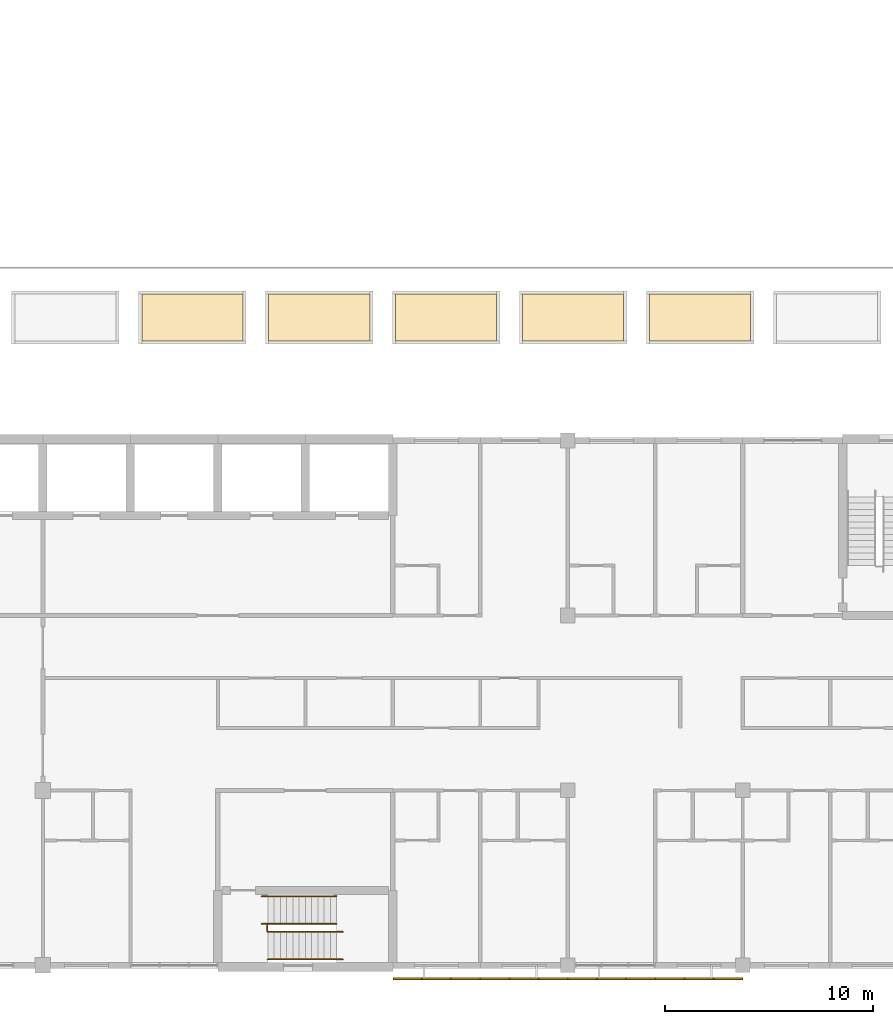
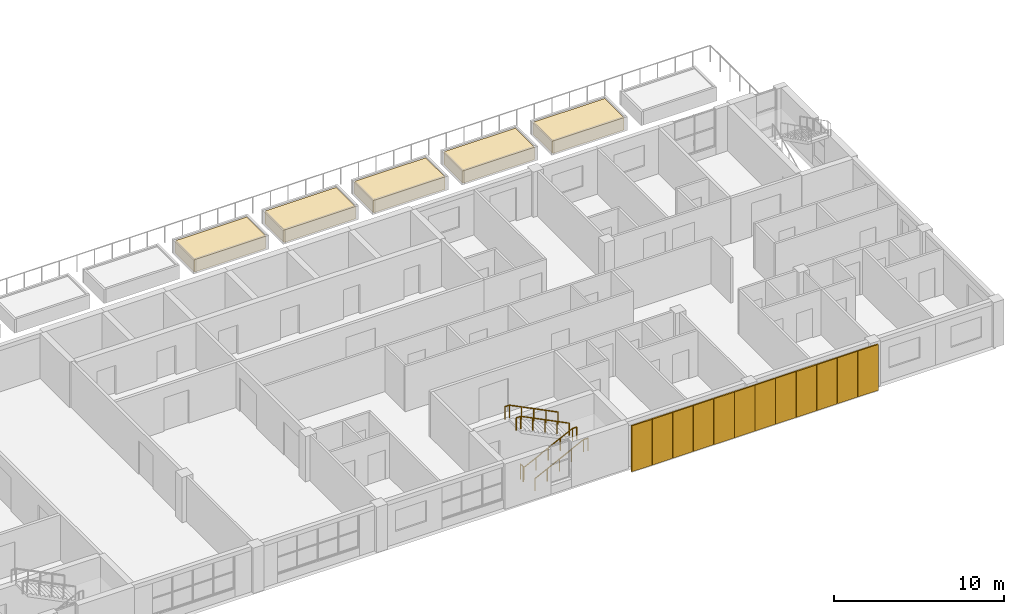
# One storey, part 60 of 61: 12 shading devices, 5 coverings, 5 railings.
"""IFC4 building model written with IfcOpenShell, lengths in metres."""

from ifc_helpers import new_model, si_unit, direction, frame, origin, origin_2d, place, context, subcontext, project, spatial, polyline, rectangle, circle, outline, extrude, material, layer, layer_set, type_object, element, save


model = new_model("IFC4")

# Units and contexts
model_context = context("Model", 3, precision=1e-05, world=origin(), true_north=direction((0.0, 1.0)))
body_context = subcontext(model_context, "Body", "Model", "MODEL_VIEW")
ifc_project = project(units=[si_unit("LENGTHUNIT", "METRE"), si_unit("AREAUNIT", "SQUARE_METRE"), si_unit("VOLUMEUNIT", "CUBIC_METRE"), si_unit("PLANEANGLEUNIT", "RADIAN"), si_unit("MASSUNIT", "GRAM", prefix="KILO")], contexts=[model_context])

# Site, building, storey
site_placement = place(None, origin())
site = spatial("IfcSite", under=ifc_project, at=site_placement, CompositionType="ELEMENT")
building_placement = place(site_placement, origin())
building = spatial("IfcBuilding", under=site, at=building_placement, Name="Yavir Park General Hospital", CompositionType="ELEMENT")
storey_placement = place(building_placement, frame((0.0, 0.0, 15.300048828125)))
storey = spatial("IfcBuildingStorey", under=building, at=storey_placement, Name="L03", CompositionType="ELEMENT", Elevation=15.300048828125)

# Coverings
ifc_material_1 = material(Name="Green roof substrate")
ifc_layer_1 = layer(ifc_material_1, 0.89990234375)
ifc_layer_set_1 = layer_set([ifc_layer_1], Name="Green roof substrate")
covering_type = type_object("IfcCoveringType", Name="Green roof substrate 900", PredefinedType="FLOORING", material=ifc_layer_set_1)
covering_1_placement = place(storey_placement, origin())
element("IfcCovering", 1, at=covering_1_placement, inside=storey, type_object=covering_type, Name="Planting bed substrate 18", PredefinedType="FLOORING", context=body_context, shape_type="SweptSolid", body=[
    extrude(outline(polyline([(130.748779296875, 29.97509765625), (135.598876953125, 29.97509765625), (135.598876953125, 32.22509765625), (130.748779296875, 32.22509765625), (130.748779296875, 29.97509765625)])), origin(), (0.0, 0.0, 1.0), 0.89990234375),
])
covering_2_placement = place(storey_placement, origin())
element("IfcCovering", 2, at=covering_2_placement, inside=storey, type_object=covering_type, Name="Planting bed substrate 19", PredefinedType="FLOORING", context=body_context, shape_type="SweptSolid", body=[
    extrude(outline(polyline([(136.844482421875, 29.97509765625), (141.694580078125, 29.97509765625), (141.694580078125, 32.22509765625), (136.844482421875, 32.22509765625), (136.844482421875, 29.97509765625)])), origin(), (0.0, 0.0, 1.0), 0.89990234375),
])
covering_3_placement = place(storey_placement, origin())
element("IfcCovering", 3, at=covering_3_placement, inside=storey, type_object=covering_type, Name="Planting bed substrate 20", PredefinedType="FLOORING", context=body_context, shape_type="SweptSolid", body=[
    extrude(outline(polyline([(142.940185546875, 29.97509765625), (147.790283203125, 29.97509765625), (147.790283203125, 32.22509765625), (142.940185546875, 32.22509765625), (142.940185546875, 29.97509765625)])), origin(), (0.0, 0.0, 1.0), 0.89990234375),
])
covering_4_placement = place(storey_placement, origin())
element("IfcCovering", 4, at=covering_4_placement, inside=storey, type_object=covering_type, Name="Planting bed substrate 21", PredefinedType="FLOORING", context=body_context, shape_type="SweptSolid", body=[
    extrude(outline(polyline([(149.035888671875, 29.97509765625), (153.885986328125, 29.97509765625), (153.885986328125, 32.22509765625), (149.035888671875, 32.22509765625), (149.035888671875, 29.97509765625)])), origin(), (0.0, 0.0, 1.0), 0.89990234375),
])
covering_5_placement = place(storey_placement, origin())
element("IfcCovering", 5, at=covering_5_placement, inside=storey, type_object=covering_type, Name="Planting bed substrate 22", PredefinedType="FLOORING", context=body_context, shape_type="SweptSolid", body=[
    extrude(outline(polyline([(155.131591796875, 29.97509765625), (159.9814453125, 29.97509765625), (159.9814453125, 32.22509765625), (155.131591796875, 32.22509765625), (155.131591796875, 29.97509765625)])), origin(), (0.0, 0.0, 1.0), 0.89990234375),
])

# Shading devices
ifc_material_2 = material(Name="Precast concrete perforated block panel", Category="concrete")
ifc_layer_2 = layer(ifc_material_2, 0.092041015625)
ifc_layer_set_2 = layer_set([ifc_layer_2], Name="Precast concrete perforated block panel")
shading_device_type = type_object("IfcShadingDeviceType", Name="Precast breeze-block screen panel 1380 x 3300 x 92", PredefinedType="JALOUSIE", material=ifc_layer_set_2)
for number, where, z_axis, x_axis, name in (
    (6, (143.5, -0.64990234375, 0.0), (0.0, 0.0, 1.0), (1.0, 0.0, 0.0), "Screen panel S18.1.1"),
    (7, (144.89990234375, -0.64990234375, 0.0), (0.0, 0.0, 1.0), (1.0, 0.0, 0.0), "Screen panel S18.1.2"),
    (8, (146.300048828125, -0.64990234375, 0.0), (0.0, 0.0, 1.0), (1.0, 0.0, 0.0), "Screen panel S18.1.3"),
    (9, (147.699951171875, -0.64990234375, 0.0), (0.0, 0.0, 1.0), (1.0, 0.0, 0.0), "Screen panel S18.1.4"),
    (10, (149.10009765625, -0.64990234375, 0.0), (0.0, 0.0, 1.0), (1.0, 0.0, 0.0), "Screen panel S18.1.5"),
    (11, (150.5, -0.64990234375, 0.0), (0.0, 0.0, 1.0), (1.0, 0.0, 0.0), "Screen panel S18.1.6"),
    (12, (151.89990234375, -0.64990234375, 0.0), (0.0, 0.0, 1.0), (1.0, 0.0, 0.0), "Screen panel S19.1.1"),
    (13, (153.300048828125, -0.64990234375, 0.0), (0.0, 0.0, 1.0), (1.0, 0.0, 0.0), "Screen panel S19.1.2"),
    (14, (154.699951171875, -0.64990234375, 0.0), (0.0, 0.0, 1.0), (1.0, 0.0, 0.0), "Screen panel S19.1.3"),
    (15, (156.10009765625, -0.64990234375, 0.0), (0.0, 0.0, 1.0), (1.0, 0.0, 0.0), "Screen panel S19.1.4"),
    (16, (157.5, -0.64990234375, 0.0), (0.0, 0.0, 1.0), (1.0, 0.0, 0.0), "Screen panel S19.1.5"),
    (17, (158.89990234375, -0.64990234375, 0.0), (0.0, 0.0, 1.0), (1.0, 0.0, 0.0), "Screen panel S19.1.6"),
):
    element("IfcShadingDevice", number, at=place(storey_placement, frame(where, z_axis=z_axis, x_axis=x_axis)), inside=storey, type_object=shading_device_type, Name=name, PredefinedType="JALOUSIE", context=body_context, shape_type="SweptSolid", body=[
        extrude(rectangle(XDim=1.3798828125, YDim=0.092041015625, at=origin_2d()), origin(), (0.0, 0.0, 1.0), 3.300048828125),
    ])

# Railings
ifc_material_3 = material(Name="Steel balustrade with infill rods", Category="steel")
railing_type_1 = type_object("IfcRailingType", Name="Stair guard, steel balustrade 1100 mm", PredefinedType="GUARDRAIL", material=ifc_material_3)
railing_placement = place(storey_placement, frame((136.77001953125, 1.64990234375, 0.0)))
element("IfcRailing", 18, at=railing_placement, inside=storey, type_object=railing_type_1, Name="Stair well guard SU5 L03", PredefinedType="GUARDRAIL", context=body_context, shape_type="SweptSolid", body=[
    extrude(circle(Radius=0.02392578125, at=origin_2d()), frame((0.0, 0.0, 1.076171875), z_axis=(0.0, 1.0, 0.0), x_axis=(-1.0, 0.0, 0.0)), (0.0, 0.0, 1.0), 0.300048828125),
    extrude(circle(Radius=0.02099609375, at=origin_2d()), origin(), (0.0, 0.0, 1.0), 1.052001953125),
    extrude(circle(Radius=0.02099609375, at=origin_2d()), frame((0.0, 0.300048828125, 0.0)), (0.0, 0.0, 1.0), 1.052001953125),
])
ifc_material_4 = material(Name="Stainless steel tube 48 mm", Category="steel")
railing_type_2 = type_object("IfcRailingType", Name="Stair handrail, steel tube, 900 mm above the nosings", PredefinedType="HANDRAIL", material=ifc_material_4)
for number, where, name in (
    (19, (136.800048828125, 0.2900390625, 0.14990234375), "Handrail SU5 L03 1"),
    (20, (136.800048828125, 1.610107421875, 0.14990234375), "Handrail SU5 L03 2"),
):
    element("IfcRailing", number, at=place(storey_placement, frame(where)), inside=storey, type_object=railing_type_2, Name=name, PredefinedType="HANDRAIL", context=body_context, shape_type="SweptSolid", body=[
        extrude(circle(Radius=0.02392578125, at=origin_2d()), frame((0.0, 0.0, 0.8759765625), z_axis=(0.894413956696, 0.0, 0.447240063129), x_axis=(0.0, 1.0, 0.0)), (0.0, 0.0, 1.0), 3.689697265625),
        extrude(circle(Radius=0.02392578125, at=origin_2d()), frame((3.300048828125, 0.0, 2.52587890625), z_axis=(1.0, 0.0, 0.0), x_axis=(0.0, 1.0, 0.0)), (0.0, 0.0, 1.0), 0.2998046875),
        extrude(circle(Radius=0.02099609375, at=origin_2d()), origin(), (0.0, 0.0, 1.0), 0.851806640625),
        extrude(circle(Radius=0.02099609375, at=origin_2d()), frame((0.824951171875, 0.0, 0.41259765625)), (0.0, 0.0, 1.0), 0.851806640625),
        extrude(circle(Radius=0.02099609375, at=origin_2d()), frame((1.64990234375, 0.0, 0.8251953125)), (0.0, 0.0, 1.0), 0.851806640625),
        extrude(circle(Radius=0.02099609375, at=origin_2d()), frame((2.47509765625, 0.0, 1.237548828125)), (0.0, 0.0, 1.0), 0.851806640625),
        extrude(circle(Radius=0.02099609375, at=origin_2d()), frame((3.300048828125, 0.0, 1.650146484375)), (0.0, 0.0, 1.0), 0.851806640625),
        extrude(circle(Radius=0.02099609375, at=origin_2d()), frame((3.599853515625, 0.0, 1.650146484375)), (0.0, 0.0, 1.0), 0.851806640625),
    ])
for number, where, name in (
    (21, (140.10009765625, 3.31005859375, 1.949951171875), "Handrail SU5 L03 3"),
    (22, (140.10009765625, 1.989990234375, 1.949951171875), "Handrail SU5 L03 4"),
):
    element("IfcRailing", number, at=place(storey_placement, frame(where)), inside=storey, type_object=railing_type_2, Name=name, PredefinedType="HANDRAIL", context=body_context, shape_type="SweptSolid", body=[
        extrude(circle(Radius=0.02392578125, at=origin_2d()), frame((0.0, 0.0, 0.8759765625), z_axis=(-0.894440424912, 0.0, 0.447187126696), x_axis=(0.0, -1.0, 0.0)), (0.0, 0.0, 1.0), 3.689453125),
        extrude(circle(Radius=0.02392578125, at=origin_2d()), frame((-3.300048828125, 0.0, 2.52587890625), z_axis=(-1.0, 0.0, 0.0), x_axis=(0.0, -1.0, 0.0)), (0.0, 0.0, 1.0), 0.300048828125),
        extrude(circle(Radius=0.02099609375, at=origin_2d()), origin(), (0.0, 0.0, 1.0), 0.851806640625),
        extrude(circle(Radius=0.02099609375, at=origin_2d()), frame((-0.824951171875, 0.0, 0.41259765625)), (0.0, 0.0, 1.0), 0.851806640625),
        extrude(circle(Radius=0.02099609375, at=origin_2d()), frame((-1.64990234375, 0.0, 0.824951171875)), (0.0, 0.0, 1.0), 0.851806640625),
        extrude(circle(Radius=0.02099609375, at=origin_2d()), frame((-2.47509765625, 0.0, 1.2373046875)), (0.0, 0.0, 1.0), 0.851806640625),
        extrude(circle(Radius=0.02099609375, at=origin_2d()), frame((-3.300048828125, 0.0, 1.64990234375)), (0.0, 0.0, 1.0), 0.851806640625),
        extrude(circle(Radius=0.02099609375, at=origin_2d()), frame((-3.60009765625, 0.0, 1.64990234375)), (0.0, 0.0, 1.0), 0.851806640625),
    ])

save(model, "model.ifc")
